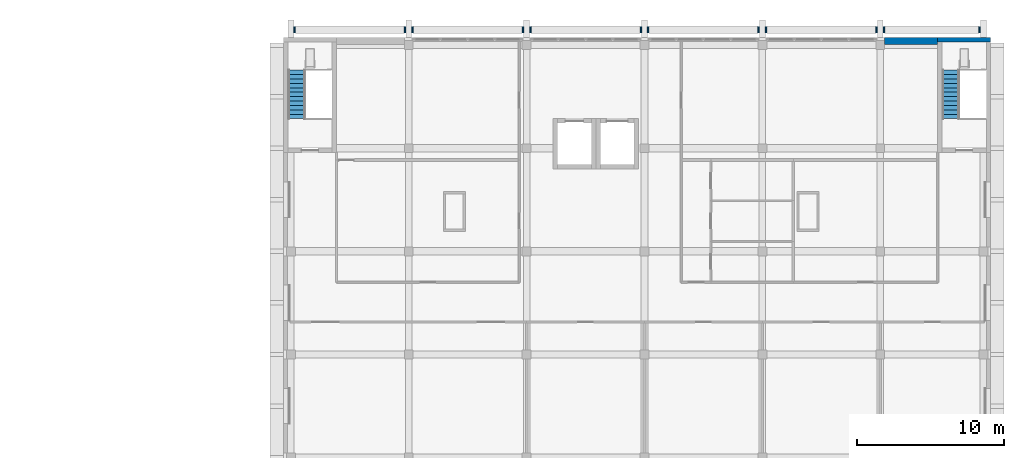
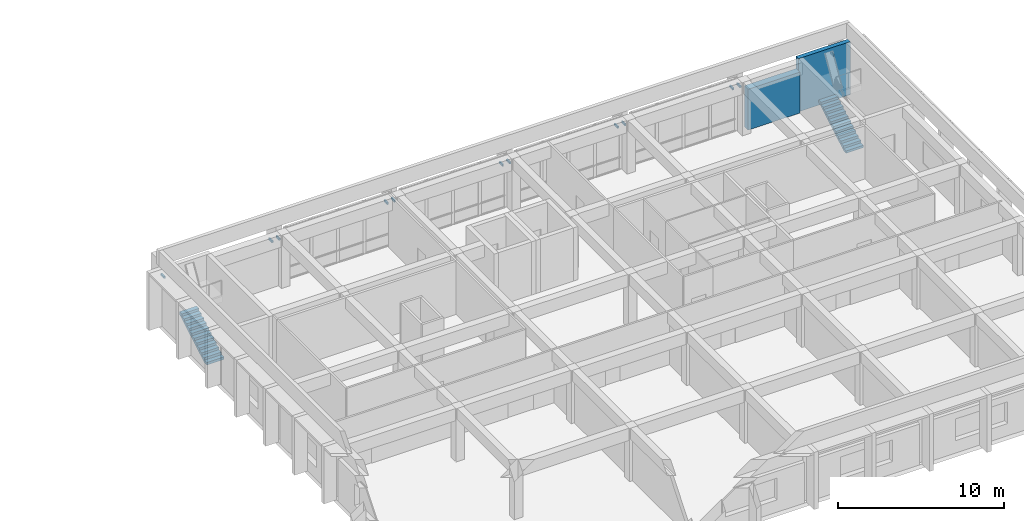
# One storey, part 19 of 21: 12 discrete accessories, 2 stair flights, 2 walls, 2 elements without a shape of their own.
"""IFC4 building model written with IfcOpenShell, lengths in metres."""

from ifc_helpers import new_model, si_unit, direction, frame, frame_2d, origin, origin_2d, place, context, subcontext, project, spatial, polyline, rectangle, outline, extrude, material, layer, layer_set, type_object, element, aggregate, save


model = new_model("IFC4")

# Units and contexts
model_context = context("Model", 3, precision=1e-05, world=origin(), true_north=direction((0.0, 1.0)))
body_context = subcontext(model_context, "Body", "Model", "MODEL_VIEW")
ifc_project = project(units=[si_unit("LENGTHUNIT", "METRE"), si_unit("AREAUNIT", "SQUARE_METRE"), si_unit("VOLUMEUNIT", "CUBIC_METRE"), si_unit("PLANEANGLEUNIT", "RADIAN"), si_unit("MASSUNIT", "GRAM", prefix="KILO")], contexts=[model_context])

# Site, building, storey
site_placement = place(None, origin())
site = spatial("IfcSite", under=ifc_project, at=site_placement, CompositionType="ELEMENT")
building_placement = place(site_placement, origin())
building = spatial("IfcBuilding", under=site, at=building_placement, Name="Elmora Arch Market Hall", CompositionType="ELEMENT")
storey_placement = place(building_placement, frame((0.0, 0.0, 14.39990234375)))
storey = spatial("IfcBuildingStorey", under=building, at=storey_placement, Name="L03", CompositionType="ELEMENT", Elevation=14.39990234375)

# Walls
ifc_material_1 = material(Name="Concrete C40/50", Category="concrete")
ifc_layer_1 = layer(ifc_material_1, 0.300048828125)
ifc_layer_set_1 = layer_set([ifc_layer_1], Name="Concrete C40/50")
wall_type_1 = type_object("IfcWallType", Name="Board-marked concrete wall 300", PredefinedType="SOLIDWALL", material=ifc_layer_set_1)
wall_1_placement = place(storey_placement, frame((130.39990234375, 165.85009765625, 0.0), z_axis=(0.0, 0.0, 1.0), x_axis=(1.0, 0.0, 0.0)))
element("IfcWall", 1, at=wall_1_placement, inside=storey, type_object=wall_type_1, Name="School stair wall N L03 2", PredefinedType="SOLIDWALL", context=body_context, shape_type="SweptSolid", body=[
    extrude(rectangle(XDim=3.60009765625, YDim=0.300048828125, at=frame_2d((1.800048828125, 0.0))), origin(), (0.0, 0.0, 1.0), 3.900146484375),
])
ifc_material_2 = material(Name="Concrete C40/50", Category="concrete")
ifc_layer_2 = layer(ifc_material_2, 0.449951171875)
ifc_layer_set_2 = layer_set([ifc_layer_2], Name="Concrete C40/50")
wall_type_2 = type_object("IfcWallType", Name="Board-marked concrete wall 450", PredefinedType="SOLIDWALL", material=ifc_layer_set_2)
wall_2_placement = place(storey_placement, frame((126.800048828125, 165.77490234375, 0.0), z_axis=(0.0, 0.0, 1.0), x_axis=(1.0, 0.0, 0.0)))
element("IfcWall", 2, at=wall_2_placement, inside=storey, type_object=wall_type_2, Name="School facade wall N L03 8", PredefinedType="SOLIDWALL", context=body_context, shape_type="SweptSolid", body=[
    extrude(rectangle(XDim=3.599853515625, YDim=0.449951171875, at=frame_2d((1.7998046875, 0.0))), origin(), (0.0, 0.0, 1.0), 3.0),
])

# Stair, stair flight
ifc_material_3 = material(Name="Concrete C40/50", Category="concrete")
stair_type = type_object("IfcStairType", Name="Exit stair 1200", PredefinedType="TWO_STRAIGHT_RUN_STAIR", material=ifc_material_3)
stair_1_placement = place(storey_placement, origin())
stair_1 = element("IfcStair", 3, at=stair_1_placement, inside=storey, type_object=stair_type, Name="Stair ST-SCW L03", PredefinedType="TWO_STRAIGHT_RUN_STAIR")
ifc_material_4 = material(Name="Concrete C40/50", Category="concrete")
stair_flight_type = type_object("IfcStairFlightType", Name="Stair flight 1200", PredefinedType="STRAIGHT", material=ifc_material_4)
stair_flight_1_placement = place(storey_placement, frame((86.89990234375, 160.5, 0.0), z_axis=(0.0, 0.0, 1.0), x_axis=(0.0, 1.0, 0.0)))
stair_flight_1 = element("IfcStairFlight", 4, at=stair_flight_1_placement, type_object=stair_flight_type, Name="Stair ST-SCW L03 flight 1", NumberOfRisers=12, NumberOfTreads=11, PredefinedType="STRAIGHT", RiserHeight=0.175, TreadLength=0.3, context=body_context, shape_type="SweptSolid", body=[
    extrude(outline(polyline([(0.0, 0.0), (0.0, 0.175048828125), (0.300048828125, 0.175048828125), (0.300048828125, 0.35009765625), (0.60009765625, 0.35009765625), (0.60009765625, 0.52490234375), (0.89990234375, 0.52490234375), (0.89990234375, 0.699951171875), (1.199951171875, 0.699951171875), (1.199951171875, 0.875), (1.5, 0.875), (1.5, 1.050048828125), (1.800048828125, 1.050048828125), (1.800048828125, 1.22509765625), (2.10009765625, 1.22509765625), (2.10009765625, 1.39990234375), (2.39990234375, 1.39990234375), (2.39990234375, 1.574951171875), (2.699951171875, 1.574951171875), (2.699951171875, 1.75), (3.0, 1.75), (3.0, 1.925048828125), (3.300048828125, 1.925048828125), (3.300048828125, 2.10009765625), (3.300048828125, 1.75146484375), (0.297607421875, 0.0), (0.0, 0.0)])), frame((0.0, 0.60009765625, 0.0), z_axis=(0.0, -1.0, 0.0), x_axis=(1.0, 0.0, 0.0)), (0.0, 0.0, 1.0), 1.199951171875),
])
aggregate(stair_1, [stair_flight_1])

stair_2_placement = place(storey_placement, origin())
stair_2 = element("IfcStair", 5, at=stair_2_placement, inside=storey, type_object=stair_type, Name="Stair ST-SCE L03", PredefinedType="TWO_STRAIGHT_RUN_STAIR")
stair_flight_2_placement = place(storey_placement, frame((131.300048828125, 160.5, 0.0), z_axis=(0.0, 0.0, 1.0), x_axis=(0.0, 1.0, 0.0)))
stair_flight_2 = element("IfcStairFlight", 6, at=stair_flight_2_placement, type_object=stair_flight_type, Name="Stair ST-SCE L03 flight 1", NumberOfRisers=12, NumberOfTreads=11, PredefinedType="STRAIGHT", RiserHeight=0.175, TreadLength=0.3, context=body_context, shape_type="SweptSolid", body=[
    extrude(outline(polyline([(0.0, 0.0), (0.0, 0.175048828125), (0.300048828125, 0.175048828125), (0.300048828125, 0.35009765625), (0.60009765625, 0.35009765625), (0.60009765625, 0.52490234375), (0.89990234375, 0.52490234375), (0.89990234375, 0.699951171875), (1.199951171875, 0.699951171875), (1.199951171875, 0.875), (1.5, 0.875), (1.5, 1.050048828125), (1.800048828125, 1.050048828125), (1.800048828125, 1.22509765625), (2.10009765625, 1.22509765625), (2.10009765625, 1.39990234375), (2.39990234375, 1.39990234375), (2.39990234375, 1.574951171875), (2.699951171875, 1.574951171875), (2.699951171875, 1.75), (3.0, 1.75), (3.0, 1.925048828125), (3.300048828125, 1.925048828125), (3.300048828125, 2.10009765625), (3.300048828125, 1.75146484375), (0.297607421875, 0.0), (0.0, 0.0)])), frame((0.0, 0.60009765625, 0.0), z_axis=(0.0, -1.0, 0.0), x_axis=(1.0, 0.0, 0.0)), (0.0, 0.0, 1.0), 1.199951171875),
])
aggregate(stair_2, [stair_flight_2])

# Discrete accessories
ifc_material_5 = material(Name="Steel ASTM A653 galvanised", Category="steel")
discrete_accessory_type = type_object("IfcDiscreteAccessoryType", Name="Bracket plate 100x400x150", PredefinedType="BRACKET", material=ifc_material_5)
for number, where, z_axis, x_axis, name in (
    (7, (86.75, 166.550048828125, 2.650146484375), (0.0, 0.0, 1.0), (1.0, 0.0, 0.0), "Bracket BLADE-SCH-N-1-L03"),
    (8, (94.25, 166.550048828125, 2.650146484375), (0.0, 0.0, 1.0), (1.0, 0.0, 0.0), "Bracket BLADE-SCH-N-1-L03"),
    (9, (94.75, 166.550048828125, 2.650146484375), (0.0, 0.0, 1.0), (1.0, 0.0, 0.0), "Bracket BLADE-SCH-N-2-L03"),
    (10, (102.25, 166.550048828125, 2.650146484375), (0.0, 0.0, 1.0), (1.0, 0.0, 0.0), "Bracket BLADE-SCH-N-2-L03"),
    (11, (102.75, 166.550048828125, 2.650146484375), (0.0, 0.0, 1.0), (1.0, 0.0, 0.0), "Bracket BLADE-SCH-N-3-L03"),
    (12, (110.25, 166.550048828125, 2.650146484375), (0.0, 0.0, 1.0), (1.0, 0.0, 0.0), "Bracket BLADE-SCH-N-3-L03"),
    (13, (110.75, 166.550048828125, 2.650146484375), (0.0, 0.0, 1.0), (1.0, 0.0, 0.0), "Bracket BLADE-SCH-N-4-L03"),
    (14, (118.25, 166.550048828125, 2.650146484375), (0.0, 0.0, 1.0), (1.0, 0.0, 0.0), "Bracket BLADE-SCH-N-4-L03"),
    (15, (118.75, 166.550048828125, 2.650146484375), (0.0, 0.0, 1.0), (1.0, 0.0, 0.0), "Bracket BLADE-SCH-N-5-L03"),
    (16, (126.25, 166.550048828125, 2.650146484375), (0.0, 0.0, 1.0), (1.0, 0.0, 0.0), "Bracket BLADE-SCH-N-5-L03"),
    (17, (126.75, 166.550048828125, 2.650146484375), (0.0, 0.0, 1.0), (1.0, 0.0, 0.0), "Bracket BLADE-SCH-N-6-L03"),
    (18, (133.25, 166.550048828125, 2.650146484375), (0.0, 0.0, 1.0), (1.0, 0.0, 0.0), "Bracket BLADE-SCH-N-6-L03"),
):
    element("IfcDiscreteAccessory", number, at=place(storey_placement, frame(where, z_axis=z_axis, x_axis=x_axis)), inside=storey, type_object=discrete_accessory_type, Name=name, PredefinedType="BRACKET", context=body_context, shape_type="SweptSolid", body=[
        extrude(rectangle(XDim=0.10009765625, YDim=0.39990234375, at=origin_2d()), origin(), (0.0, 0.0, 1.0), 0.14990234375),
    ])

save(model, "model.ifc")
